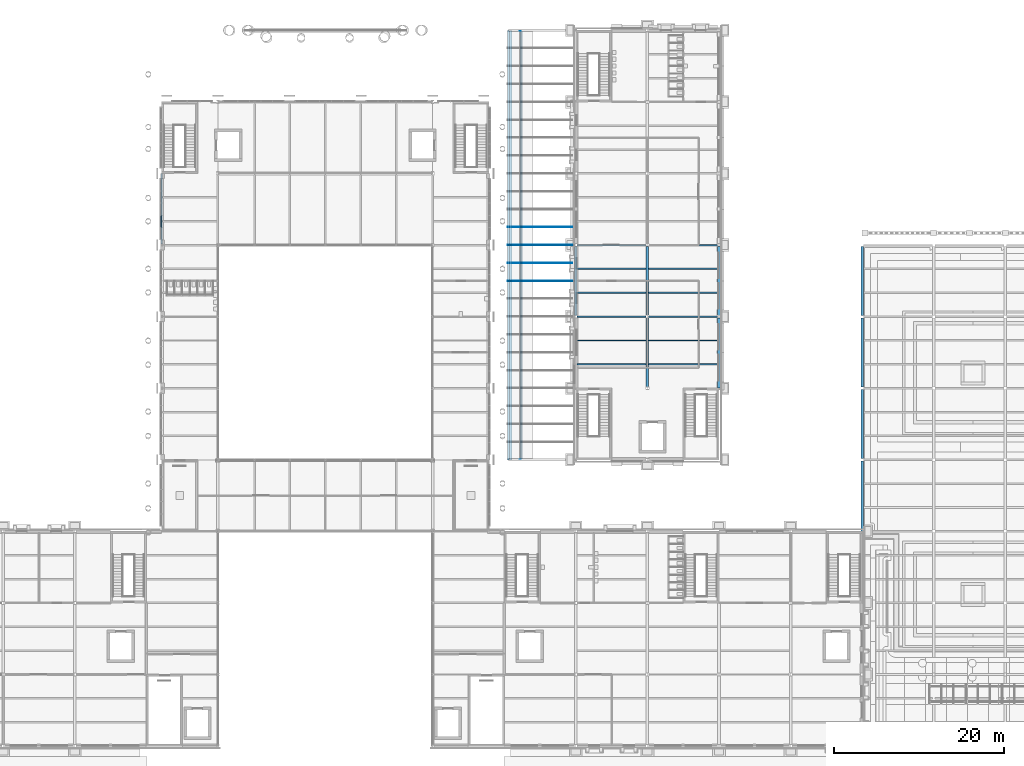
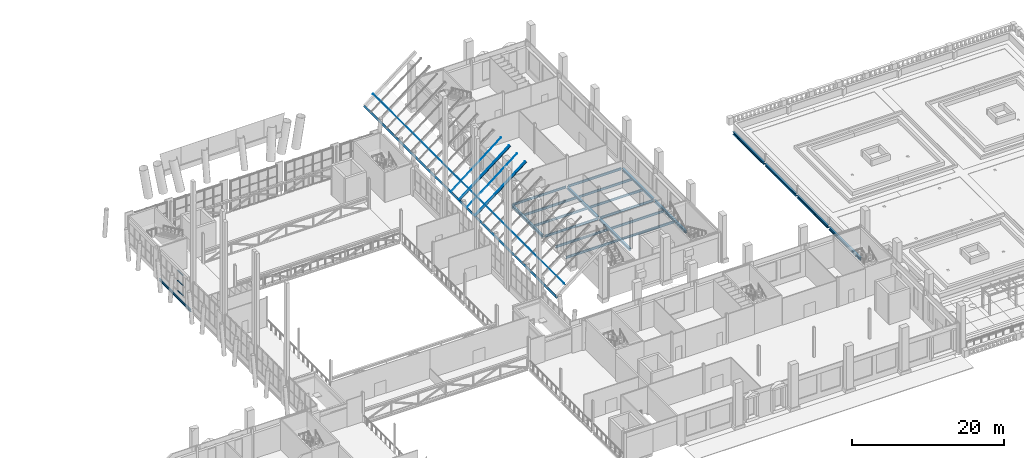
# One storey, part 30 of 76: 23 beams, 11 members, 1 element without a shape of its own.
"""IFC4 building model written with IfcOpenShell, lengths in metres."""

from ifc_helpers import new_model, si_unit, direction, frame, origin, origin_2d, place, context, subcontext, project, spatial, polyline, rectangle, i_section, outline, extrude, material, material_profile, profile_set, type_object, element, aggregate, save


model = new_model("IFC4")

# Units and contexts
model_context = context("Model", 3, precision=1e-05, world=origin(), true_north=direction((0.0, 1.0)))
body_context = subcontext(model_context, "Body", "Model", "MODEL_VIEW")
ifc_project = project(units=[si_unit("LENGTHUNIT", "METRE"), si_unit("AREAUNIT", "SQUARE_METRE"), si_unit("VOLUMEUNIT", "CUBIC_METRE"), si_unit("PLANEANGLEUNIT", "RADIAN"), si_unit("MASSUNIT", "GRAM", prefix="KILO")], contexts=[model_context])

# Site, building, storey
site_placement = place(None, origin())
site = spatial("IfcSite", under=ifc_project, at=site_placement, CompositionType="ELEMENT")
building_placement = place(site_placement, origin())
building = spatial("IfcBuilding", under=site, at=building_placement, Name="Sava Quay Ferry Terminal", CompositionType="ELEMENT")
storey_placement = place(building_placement, frame((0.0, 0.0, 6.0)))
storey = spatial("IfcBuildingStorey", under=building, at=storey_placement, Name="L01", CompositionType="ELEMENT", Elevation=6.0)

# Beams
ifc_material_1 = material(Name="Steel S355", Category="steel")
ifc_material_profile_1 = material_profile(ifc_material_1, i_section(OverallWidth=0.169921875, OverallDepth=0.360107421875, WebThickness=0.008056640625, FlangeThickness=0.0126953125, at=origin_2d()), Name="IPE 360")
ifc_profile_set_1 = profile_set([ifc_material_profile_1], Name="Steel S355")
beam_type_1 = type_object("IfcBeamType", Name="Beam IPE 360", PredefinedType="BEAM", material=ifc_profile_set_1)
beam_1_placement = place(storey_placement, frame((92.550048828125, 75.60009765625, -0.31005859375), z_axis=(1.0, 0.0, 0.0), x_axis=(0.0, 1.0, 0.0)))
element("IfcBeam", 1, at=beam_1_placement, inside=storey, type_object=beam_type_1, Name="Beam L01", PredefinedType="BEAM", context=body_context, shape_type="SweptSolid", body=[
    extrude(i_section(OverallWidth=0.169921875, OverallDepth=0.360107421875, WebThickness=0.008056640625, FlangeThickness=0.0126953125, at=origin_2d()), origin(), (0.0, 0.0, 1.0), 8.099853515625),
])
beam_2_placement = place(storey_placement, frame((100.949951171875, 75.60009765625, -0.31005859375), z_axis=(1.0, 0.0, 0.0), x_axis=(0.0, 1.0, 0.0)))
element("IfcBeam", 2, at=beam_2_placement, inside=storey, type_object=beam_type_1, Name="Beam L01", PredefinedType="BEAM", context=body_context, shape_type="SweptSolid", body=[
    extrude(i_section(OverallWidth=0.169921875, OverallDepth=0.360107421875, WebThickness=0.008056640625, FlangeThickness=0.0126953125, at=origin_2d()), origin(), (0.0, 0.0, 1.0), 8.10009765625),
])
beam_3_placement = place(storey_placement, frame((92.550048828125, 84.0, -0.31005859375), z_axis=(1.0, 0.0, 0.0), x_axis=(0.0, 1.0, 0.0)))
element("IfcBeam", 3, at=beam_3_placement, inside=storey, type_object=beam_type_1, Name="Beam L01", PredefinedType="BEAM", context=body_context, shape_type="SweptSolid", body=[
    extrude(i_section(OverallWidth=0.169921875, OverallDepth=0.360107421875, WebThickness=0.008056640625, FlangeThickness=0.0126953125, at=origin_2d()), origin(), (0.0, 0.0, 1.0), 8.099853515625),
])
beam_4_placement = place(storey_placement, frame((100.949951171875, 84.0, -0.31005859375), z_axis=(1.0, 0.0, 0.0), x_axis=(0.0, 1.0, 0.0)))
element("IfcBeam", 4, at=beam_4_placement, inside=storey, type_object=beam_type_1, Name="Beam L01", PredefinedType="BEAM", context=body_context, shape_type="SweptSolid", body=[
    extrude(i_section(OverallWidth=0.169921875, OverallDepth=0.360107421875, WebThickness=0.008056640625, FlangeThickness=0.0126953125, at=origin_2d()), origin(), (0.0, 0.0, 1.0), 8.10009765625),
])
for number, where, z_axis, x_axis, name in (
    (5, (92.550048828125, 70.0, -0.31005859375), (1.0, 0.0, 0.0), (0.0, 1.0, 0.0), "Secondary beam L01"),
    (6, (92.550048828125, 72.800048828125, -0.31005859375), (1.0, 0.0, 0.0), (0.0, 1.0, 0.0), "Secondary beam L01"),
):
    element("IfcBeam", number, at=place(storey_placement, frame(where, z_axis=z_axis, x_axis=x_axis)), inside=storey, type_object=beam_type_1, Name=name, PredefinedType="BEAM", context=body_context, shape_type="SweptSolid", body=[
        extrude(i_section(OverallWidth=0.169921875, OverallDepth=0.360107421875, WebThickness=0.008056640625, FlangeThickness=0.0126953125, at=origin_2d()), origin(), (0.0, 0.0, 1.0), 8.099853515625),
    ])
for number, where, z_axis, x_axis, name in (
    (7, (100.949951171875, 70.0, -0.31005859375), (1.0, 0.0, 0.0), (0.0, 1.0, 0.0), "Secondary beam L01"),
    (8, (100.949951171875, 72.800048828125, -0.31005859375), (1.0, 0.0, 0.0), (0.0, 1.0, 0.0), "Secondary beam L01"),
):
    element("IfcBeam", number, at=place(storey_placement, frame(where, z_axis=z_axis, x_axis=x_axis)), inside=storey, type_object=beam_type_1, Name=name, PredefinedType="BEAM", context=body_context, shape_type="SweptSolid", body=[
        extrude(i_section(OverallWidth=0.169921875, OverallDepth=0.360107421875, WebThickness=0.008056640625, FlangeThickness=0.0126953125, at=origin_2d()), origin(), (0.0, 0.0, 1.0), 8.10009765625),
    ])
for number, where, z_axis, x_axis, name in (
    (9, (92.550048828125, 78.39990234375, -0.31005859375), (1.0, 0.0, 0.0), (0.0, 1.0, 0.0), "Secondary beam L01"),
    (10, (92.550048828125, 81.199951171875, -0.31005859375), (1.0, 0.0, 0.0), (0.0, 1.0, 0.0), "Secondary beam L01"),
):
    element("IfcBeam", number, at=place(storey_placement, frame(where, z_axis=z_axis, x_axis=x_axis)), inside=storey, type_object=beam_type_1, Name=name, PredefinedType="BEAM", context=body_context, shape_type="SweptSolid", body=[
        extrude(i_section(OverallWidth=0.169921875, OverallDepth=0.360107421875, WebThickness=0.008056640625, FlangeThickness=0.0126953125, at=origin_2d()), origin(), (0.0, 0.0, 1.0), 8.099853515625),
    ])
for number, where, z_axis, x_axis, name in (
    (11, (100.949951171875, 78.39990234375, -0.31005859375), (1.0, 0.0, 0.0), (0.0, 1.0, 0.0), "Secondary beam L01"),
    (12, (100.949951171875, 81.199951171875, -0.31005859375), (1.0, 0.0, 0.0), (0.0, 1.0, 0.0), "Secondary beam L01"),
):
    element("IfcBeam", number, at=place(storey_placement, frame(where, z_axis=z_axis, x_axis=x_axis)), inside=storey, type_object=beam_type_1, Name=name, PredefinedType="BEAM", context=body_context, shape_type="SweptSolid", body=[
        extrude(i_section(OverallWidth=0.169921875, OverallDepth=0.360107421875, WebThickness=0.008056640625, FlangeThickness=0.0126953125, at=origin_2d()), origin(), (0.0, 0.0, 1.0), 8.10009765625),
    ])
ifc_material_2 = material(Name="Steel S355", Category="steel")
ifc_material_profile_2 = material_profile(ifc_material_2, i_section(OverallWidth=0.179931640625, OverallDepth=0.39990234375, WebThickness=0.008544921875, FlangeThickness=0.013427734375, at=origin_2d()), Name="IPE 400")
ifc_profile_set_2 = profile_set([ifc_material_profile_2], Name="Steel S355")
beam_type_2 = type_object("IfcBeamType", Name="Beam IPE 400", PredefinedType="BEAM", material=ifc_profile_set_2)
beam_5_placement = place(storey_placement, frame((43.800048828125, 84.1201171875, -0.330078125), z_axis=(0.0, 1.0, 0.0), x_axis=(-1.0, 0.0, 0.0)))
element("IfcBeam", 13, at=beam_5_placement, inside=storey, type_object=beam_type_2, Name="Girder L01", PredefinedType="BEAM", context=body_context, shape_type="SweptSolid", body=[
    extrude(i_section(OverallWidth=0.179931640625, OverallDepth=0.39990234375, WebThickness=0.008544921875, FlangeThickness=0.013427734375, at=origin_2d()), origin(), (0.0, 0.0, 1.0), 8.27978515625),
])
ifc_material_3 = material(Name="Steel S355", Category="steel")
ifc_material_profile_3 = material_profile(ifc_material_3, outline(polyline([(-0.14990234375, -0.228515625), (0.14990234375, -0.228515625), (0.14990234375, 0.228515625), (-0.14990234375, 0.228515625), (-0.14990234375, -0.228515625)]), holes=[polyline([(-0.1298828125, -0.20849609375), (-0.1298828125, 0.20849609375), (0.1298828125, 0.20849609375), (0.1298828125, -0.20849609375), (-0.1298828125, -0.20849609375)])]), Name="Box 457x300x20 built-up")
ifc_profile_set_3 = profile_set([ifc_material_profile_3], Name="Steel S355")
beam_type_3 = type_object("IfcBeamType", Name="Fascia beam Box 457x300x20", PredefinedType="BEAM", material=ifc_profile_set_3)
beam_6_placement = place(storey_placement, frame((84.64990234375, 109.199951171875, 2.91064453125), z_axis=(0.0, -1.0, 0.0), x_axis=(0.786318338826, 0.0, 0.617821551927)))
element("IfcBeam", 14, at=beam_6_placement, inside=storey, type_object=beam_type_3, Name="Passage roof eave fascia beam EA1", PredefinedType="BEAM", context=body_context, shape_type="SweptSolid", body=[
    extrude(outline(polyline([(-0.14990234375, -0.228515625), (0.14990234375, -0.228515625), (0.14990234375, 0.228515625), (-0.14990234375, 0.228515625), (-0.14990234375, -0.228515625)]), holes=[polyline([(-0.1298828125, -0.20849609375), (-0.1298828125, 0.20849609375), (0.1298828125, 0.20849609375), (0.1298828125, -0.20849609375), (-0.1298828125, -0.20849609375)])]), origin(), (0.0, 0.0, 1.0), 50.39990234375),
])
ifc_material_4 = material(Name="Steel S355", Category="steel")
ifc_material_profile_4 = material_profile(ifc_material_4, i_section(OverallWidth=0.300048828125, OverallDepth=0.389892578125, WebThickness=0.010986328125, FlangeThickness=0.01904296875, at=origin_2d()), Name="HE 400 A")
ifc_profile_set_4 = profile_set([ifc_material_profile_4], Name="Steel S355")
beam_type_4 = type_object("IfcBeamType", Name="Girder HE 400 A", PredefinedType="BEAM", material=ifc_profile_set_4)
beam_7_placement = place(storey_placement, frame((92.39990234375, 75.760009765625, -0.324951171875), z_axis=(0.0, 1.0, 0.0), x_axis=(-1.0, 0.0, 0.0)))
element("IfcBeam", 15, at=beam_7_placement, inside=storey, type_object=beam_type_4, Name="Girder L01", PredefinedType="BEAM", context=body_context, shape_type="SweptSolid", body=[
    extrude(i_section(OverallWidth=0.300048828125, OverallDepth=0.389892578125, WebThickness=0.010986328125, FlangeThickness=0.01904296875, at=origin_2d()), origin(), (0.0, 0.0, 1.0), 8.080078125),
])
beam_8_placement = place(storey_placement, frame((100.800048828125, 67.360107421875, -0.324951171875), z_axis=(0.0, 1.0, 0.0), x_axis=(-1.0, 0.0, 0.0)))
element("IfcBeam", 16, at=beam_8_placement, inside=storey, type_object=beam_type_4, Name="Girder L01", PredefinedType="BEAM", context=body_context, shape_type="SweptSolid", body=[
    extrude(i_section(OverallWidth=0.300048828125, OverallDepth=0.389892578125, WebThickness=0.010986328125, FlangeThickness=0.01904296875, at=origin_2d()), origin(), (0.0, 0.0, 1.0), 8.079833984375),
])
beam_9_placement = place(storey_placement, frame((100.800048828125, 75.760009765625, -0.324951171875), z_axis=(0.0, 1.0, 0.0), x_axis=(-1.0, 0.0, 0.0)))
element("IfcBeam", 17, at=beam_9_placement, inside=storey, type_object=beam_type_4, Name="Girder L01", PredefinedType="BEAM", context=body_context, shape_type="SweptSolid", body=[
    extrude(i_section(OverallWidth=0.300048828125, OverallDepth=0.389892578125, WebThickness=0.010986328125, FlangeThickness=0.01904296875, at=origin_2d()), origin(), (0.0, 0.0, 1.0), 8.080078125),
])
beam_10_placement = place(storey_placement, frame((109.199951171875, 67.199951171875, -0.324951171875), z_axis=(0.0, 1.0, 0.0), x_axis=(-1.0, 0.0, 0.0)))
element("IfcBeam", 18, at=beam_10_placement, inside=storey, type_object=beam_type_4, Name="Girder L01", PredefinedType="BEAM", context=body_context, shape_type="SweptSolid", body=[
    extrude(i_section(OverallWidth=0.300048828125, OverallDepth=0.389892578125, WebThickness=0.010986328125, FlangeThickness=0.01904296875, at=origin_2d()), origin(), (0.0, 0.0, 1.0), 8.239990234375),
])
beam_11_placement = place(storey_placement, frame((109.199951171875, 75.760009765625, -0.324951171875), z_axis=(0.0, 1.0, 0.0), x_axis=(-1.0, 0.0, 0.0)))
element("IfcBeam", 19, at=beam_11_placement, inside=storey, type_object=beam_type_4, Name="Girder L01", PredefinedType="BEAM", context=body_context, shape_type="SweptSolid", body=[
    extrude(i_section(OverallWidth=0.300048828125, OverallDepth=0.389892578125, WebThickness=0.010986328125, FlangeThickness=0.01904296875, at=origin_2d()), origin(), (0.0, 0.0, 1.0), 8.080078125),
])
ifc_material_5 = material(Name="Steel S355", Category="steel")
ifc_material_profile_5 = material_profile(ifc_material_5, i_section(OverallWidth=0.300048828125, OverallDepth=0.449951171875, WebThickness=0.013916015625, FlangeThickness=0.02587890625, at=origin_2d()), Name="HE 450 B")
ifc_profile_set_5 = profile_set([ifc_material_profile_5], Name="Steel S355")
beam_type_5 = type_object("IfcBeamType", Name="Girder HE 450 B", PredefinedType="BEAM", material=ifc_profile_set_5)
beam_12_placement = place(storey_placement, frame((126.0, 50.39990234375, -0.375), z_axis=(0.0, 1.0, 0.0), x_axis=(-1.0, 0.0, 0.0)))
element("IfcBeam", 20, at=beam_12_placement, inside=storey, type_object=beam_type_5, Name="Girder L01", PredefinedType="BEAM", context=body_context, shape_type="SweptSolid", body=[
    extrude(i_section(OverallWidth=0.300048828125, OverallDepth=0.449951171875, WebThickness=0.013916015625, FlangeThickness=0.02587890625, at=origin_2d()), origin(), (0.0, 0.0, 1.0), 8.239990234375),
])
beam_13_placement = place(storey_placement, frame((126.0, 58.9599609375, -0.375), z_axis=(0.0, 1.0, 0.0), x_axis=(-1.0, 0.0, 0.0)))
element("IfcBeam", 21, at=beam_13_placement, inside=storey, type_object=beam_type_5, Name="Girder L01", PredefinedType="BEAM", context=body_context, shape_type="SweptSolid", body=[
    extrude(i_section(OverallWidth=0.300048828125, OverallDepth=0.449951171875, WebThickness=0.013916015625, FlangeThickness=0.02587890625, at=origin_2d()), origin(), (0.0, 0.0, 1.0), 8.080078125),
])
beam_14_placement = place(storey_placement, frame((126.0, 67.360107421875, -0.375), z_axis=(0.0, 1.0, 0.0), x_axis=(-1.0, 0.0, 0.0)))
element("IfcBeam", 22, at=beam_14_placement, inside=storey, type_object=beam_type_5, Name="Girder L01", PredefinedType="BEAM", context=body_context, shape_type="SweptSolid", body=[
    extrude(i_section(OverallWidth=0.300048828125, OverallDepth=0.449951171875, WebThickness=0.013916015625, FlangeThickness=0.02587890625, at=origin_2d()), origin(), (0.0, 0.0, 1.0), 8.079833984375),
])
beam_15_placement = place(storey_placement, frame((126.0, 75.760009765625, -0.375), z_axis=(0.0, 1.0, 0.0), x_axis=(-1.0, 0.0, 0.0)))
element("IfcBeam", 23, at=beam_15_placement, inside=storey, type_object=beam_type_5, Name="Girder L01", PredefinedType="BEAM", context=body_context, shape_type="SweptSolid", body=[
    extrude(i_section(OverallWidth=0.300048828125, OverallDepth=0.449951171875, WebThickness=0.013916015625, FlangeThickness=0.02587890625, at=origin_2d()), origin(), (0.0, 0.0, 1.0), 8.080078125),
])

# Members
ifc_material_6 = material(Name="Aluminium EN AW-6063 T6", Category="aluminium")
ifc_material_profile_6 = material_profile(ifc_material_6, rectangle(XDim=0.06005859375, YDim=0.06005859375, at=origin_2d()), Name="Bar 60 x 60")
ifc_profile_set_6 = profile_set([ifc_material_profile_6], Name="Aluminium EN AW-6063 T6")
member_type_1 = type_object("IfcMemberType", Name="Glazing bar 60x60", PredefinedType="USERDEFINED", material=ifc_profile_set_6)
for number, where, z_axis, x_axis, name in (
    (24, (84.413330078125, 86.10009765625, 3.39697265625), (0.78632361853, 0.0, 0.617814832245), (0.0, 1.0, 0.0), "Passage roof glazing bar GL11"),
    (25, (84.413330078125, 84.0, 3.39697265625), (0.78632361853, 0.0, 0.617814832245), (0.0, 1.0, 0.0), "Passage roof glazing bar GL12"),
    (26, (84.413330078125, 81.89990234375, 3.39697265625), (0.78632361853, 0.0, 0.617814832245), (0.0, 1.0, 0.0), "Passage roof glazing bar GL13"),
    (27, (84.413330078125, 79.800048828125, 3.39697265625), (0.78632361853, 0.0, 0.617814832245), (0.0, 1.0, 0.0), "Passage roof glazing bar GL14"),
):
    element("IfcMember", number, at=place(storey_placement, frame(where, z_axis=z_axis, x_axis=x_axis)), inside=storey, type_object=member_type_1, Name=name, ObjectType="GLAZING BAR", PredefinedType="USERDEFINED", context=body_context, shape_type="SweptSolid", body=[
        extrude(rectangle(XDim=0.06005859375, YDim=0.06005859375, at=origin_2d()), origin(), (0.0, 0.0, 1.0), 9.62744140625),
    ])
member_1_placement = place(storey_placement, frame((85.87353515625, 109.085693359375, 4.544189453125), z_axis=(0.0, -1.0, 0.0), x_axis=(0.786318338826, 0.0, 0.617821551927)))
element("IfcMember", 28, at=member_1_placement, inside=storey, type_object=member_type_1, Name="Passage roof glazing bar GL24", ObjectType="GLAZING BAR", PredefinedType="USERDEFINED", context=body_context, shape_type="SweptSolid", body=[
    extrude(rectangle(XDim=0.06005859375, YDim=0.06005859375, at=origin_2d()), origin(), (0.0, 0.0, 1.0), 50.17138671875),
])
ifc_material_7 = material(Name="Steel S355", Category="steel")
ifc_material_profile_7 = material_profile(ifc_material_7, i_section(OverallWidth=0.135009765625, OverallDepth=0.27001953125, WebThickness=0.006591796875, FlangeThickness=0.01025390625, at=origin_2d()), Name="IPE 270")
ifc_profile_set_7 = profile_set([ifc_material_profile_7], Name="Steel S355")
member_type_2 = type_object("IfcMemberType", Name="Roof purlin IPE 270", PredefinedType="PURLIN", material=ifc_profile_set_7)
member_2_placement = place(storey_placement, frame((85.975341796875, 109.085693359375, 4.414306640625), z_axis=(0.0, -1.0, 0.0), x_axis=(0.786318338826, 0.0, 0.617821551927)))
element("IfcMember", 29, at=member_2_placement, inside=storey, type_object=member_type_2, Name="Passage roof purlin PU1", PredefinedType="PURLIN", context=body_context, shape_type="SweptSolid", body=[
    extrude(i_section(OverallWidth=0.135009765625, OverallDepth=0.27001953125, WebThickness=0.006591796875, FlangeThickness=0.01025390625, at=origin_2d()), origin(), (0.0, 0.0, 1.0), 50.17138671875),
])
ifc_material_8 = material(Name="Steel S355", Category="steel")
ifc_material_profile_8 = material_profile(ifc_material_8, i_section(OverallWidth=0.135009765625, OverallDepth=0.27001953125, WebThickness=0.006591796875, FlangeThickness=0.01025390625, at=origin_2d()), Name="IPE 270")
ifc_profile_set_8 = profile_set([ifc_material_profile_8], Name="Steel S355")
member_type_3 = type_object("IfcMemberType", Name="Roof rafter IPE 270", PredefinedType="RAFTER", material=ifc_profile_set_8)
for number, where, z_axis, x_axis, name in (
    (30, (84.425537109375, 84.0, 3.196533203125), (0.786314900633, 0.0, 0.617825927784), (0.0, 1.0, 0.0), "Passage roof rafter RA6"),
    (31, (84.425537109375, 79.800048828125, 3.196533203125), (0.786314900633, 0.0, 0.617825927784), (0.0, 1.0, 0.0), "Passage roof rafter RA7"),
):
    element("IfcMember", number, at=place(storey_placement, frame(where, z_axis=z_axis, x_axis=x_axis)), inside=storey, type_object=member_type_3, Name=name, PredefinedType="RAFTER", context=body_context, shape_type="SweptSolid", body=[
        extrude(i_section(OverallWidth=0.135009765625, OverallDepth=0.27001953125, WebThickness=0.006591796875, FlangeThickness=0.01025390625, at=origin_2d()), origin(), (0.0, 0.0, 1.0), 9.856201171875),
    ])

# Curtain wall, members
ifc_material_9 = material(Name="Aluminium and glass curtain wall, double low-e glazed", Category="aluminium")
curtain_wall_type = type_object("IfcCurtainWallType", Name="Curtain wall CW-F flank", PredefinedType="NOTDEFINED", material=ifc_material_9)
curtain_wall_placement = place(storey_placement, origin())
curtain_wall = element("IfcCurtainWall", 32, at=curtain_wall_placement, inside=storey, type_object=curtain_wall_type, Name="Curtain wall D-W L01 bay 5", PredefinedType="NOTDEFINED")
ifc_material_10 = material(Name="Aluminium EN AW-6063 T6", Category="aluminium")
ifc_material_profile_9 = material_profile(ifc_material_10, rectangle(XDim=0.1201171875, YDim=0.050048828125, at=origin_2d()), Name="Transom 50x120 aluminium")
ifc_profile_set_9 = profile_set([ifc_material_profile_9], Name="Aluminium EN AW-6063 T6")
member_type_4 = type_object("IfcMemberType", Name="Transom 50x120 aluminium", PredefinedType="USERDEFINED", material=ifc_profile_set_9)
member_3_placement = place(storey_placement, frame((43.72509765625, 86.070068359375, 0.925048828125), z_axis=(0.0, 1.0, 0.0), x_axis=(-1.0, 0.0, 0.0)))
member_3 = element("IfcMember", 33, at=member_3_placement, type_object=member_type_4, Name="CW111 transom 2.1", ObjectType="TRANSOM", PredefinedType="USERDEFINED", context=body_context, shape_type="SweptSolid", body=[
    extrude(rectangle(XDim=0.1201171875, YDim=0.050048828125, at=origin_2d()), origin(), (0.0, 0.0, 1.0), 1.3798828125),
])
member_4_placement = place(storey_placement, frame((43.72509765625, 86.070068359375, 2.550048828125), z_axis=(0.0, 1.0, 0.0), x_axis=(-1.0, 0.0, 0.0)))
member_4 = element("IfcMember", 34, at=member_4_placement, type_object=member_type_4, Name="CW111 transom 2.2", ObjectType="TRANSOM", PredefinedType="USERDEFINED", context=body_context, shape_type="SweptSolid", body=[
    extrude(rectangle(XDim=0.1201171875, YDim=0.050048828125, at=origin_2d()), origin(), (0.0, 0.0, 1.0), 1.3798828125),
])
member_5_placement = place(storey_placement, frame((43.72509765625, 86.070068359375, 4.175048828125), z_axis=(0.0, 1.0, 0.0), x_axis=(-1.0, 0.0, 0.0)))
member_5 = element("IfcMember", 35, at=member_5_placement, type_object=member_type_4, Name="CW111 transom 2.3", ObjectType="TRANSOM", PredefinedType="USERDEFINED", context=body_context, shape_type="SweptSolid", body=[
    extrude(rectangle(XDim=0.1201171875, YDim=0.050048828125, at=origin_2d()), origin(), (0.0, 0.0, 1.0), 1.3798828125),
])
aggregate(curtain_wall, [member_3, member_4, member_5])

save(model, "model.ifc")
